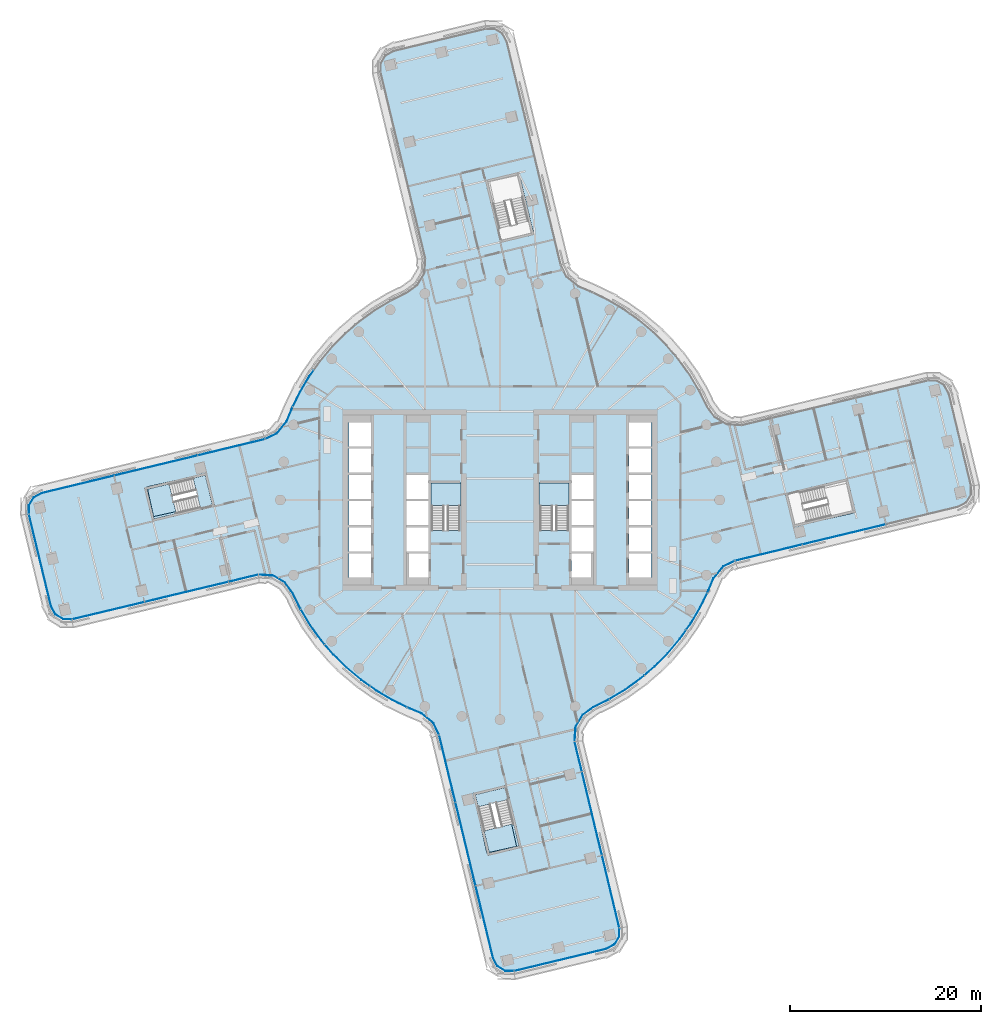
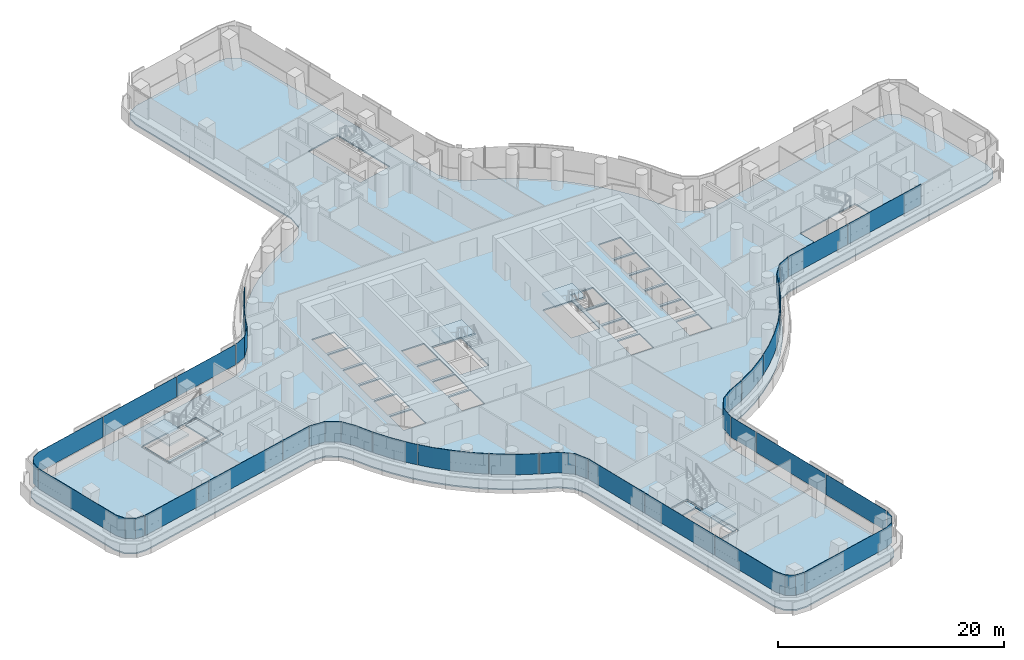
# One storey, part 17 of 33: 28 plates, 7 slabs, 14 elements without a shape of their own.
"""IFC4 building model written with IfcOpenShell, lengths in metres."""

from ifc_helpers import new_model, si_unit, direction, frame, origin, place, context, subcontext, project, spatial, polyline, outline, extrude, material, layer, layer_set, type_object, element, aggregate, save


model = new_model("IFC4")

# Units and contexts
model_context = context("Model", 3, precision=1e-05, world=origin(), true_north=direction((0.0, 1.0)))
body_context = subcontext(model_context, "Body", "Model", "MODEL_VIEW")
ifc_project = project(units=[si_unit("LENGTHUNIT", "METRE"), si_unit("AREAUNIT", "SQUARE_METRE"), si_unit("VOLUMEUNIT", "CUBIC_METRE"), si_unit("PLANEANGLEUNIT", "RADIAN"), si_unit("MASSUNIT", "GRAM", prefix="KILO")], contexts=[model_context])

# Site, building, storey
site_placement = place(None, origin())
site = spatial("IfcSite", under=ifc_project, at=site_placement, CompositionType="ELEMENT")
building_placement = place(site_placement, origin())
building = spatial("IfcBuilding", under=site, at=building_placement, Name="Tamarind Cross Interchange Tower", CompositionType="ELEMENT")
storey_placement = place(building_placement, frame((0.0, 0.0, 83.5)))
storey = spatial("IfcBuildingStorey", under=building, at=storey_placement, Name="L19", CompositionType="ELEMENT", Elevation=83.5)

# Slabs
ifc_material_1 = material(Name="Concrete C35", Category="concrete")
ifc_layer_1 = layer(ifc_material_1, 0.139892578125)
ifc_layer_set_1 = layer_set([ifc_layer_1], Name="Concrete C35")
slab_type_1 = type_object("IfcSlabType", Name="Composite slab 140 Concrete C35", PredefinedType="FLOOR", material=ifc_layer_set_1)
slab_1_placement = place(storey_placement, frame((0.0, 0.0, -0.139892578125)))
element("IfcSlab", 1, at=slab_1_placement, inside=storey, type_object=slab_type_1, Name="Floor slab L19", PredefinedType="FLOOR", context=body_context, shape_type="SweptSolid", body=[
    extrude(outline(polyline([(7.131103515625, 23.494140625), (6.557373046875, 24.66552734375), (0.90673828125, 48.053955078125), (0.411376953125, 48.963134765625), (-0.47216796875, 49.502685546875), (-1.507080078125, 49.5283203125), (-11.227294921875, 47.179931640625), (-12.136474609375, 46.684814453125), (-12.676025390625, 45.80126953125), (-12.70166015625, 44.76611328125), (-8.019287109375, 25.271728515625), (-8.1171875, 23.796875), (-8.813720703125, 22.62744140625), (-9.877197265625, 21.86279296875), (-11.511474609375, 21.054443359375), (-13.2109375, 20.031982421875), (-14.820068359375, 18.87255859375), (-16.327880859375, 17.584228515625), (-17.72412109375, 16.17578125), (-18.99951171875, 14.656982421875), (-20.14501953125, 13.0380859375), (-21.15283203125, 11.329833984375), (-22.01611328125, 9.54443359375), (-22.527587890625, 8.312744140625), (-23.494140625, 7.131103515625), (-24.66552734375, 6.557373046875), (-48.053955078125, 0.90673828125), (-48.963134765625, 0.411376953125), (-49.502685546875, -0.47216796875), (-49.5283203125, -1.507080078125), (-47.179931640625, -11.227294921875), (-46.684814453125, -12.136474609375), (-45.80126953125, -12.676025390625), (-44.76611328125, -12.70166015625), (-25.271728515625, -8.019287109375), (-23.796875, -8.1171875), (-22.62744140625, -8.813720703125), (-21.86279296875, -9.877197265625), (-21.054443359375, -11.511474609375), (-20.031982421875, -13.2109375), (-18.87255859375, -14.820068359375), (-17.584228515625, -16.327880859375), (-16.17578125, -17.72412109375), (-14.656982421875, -18.99951171875), (-13.0380859375, -20.14501953125), (-11.329833984375, -21.15283203125), (-9.54443359375, -22.01611328125), (-8.312744140625, -22.527587890625), (-7.131103515625, -23.494140625), (-6.557373046875, -24.66552734375), (-0.90673828125, -48.053955078125), (-0.411376953125, -48.963134765625), (0.47216796875, -49.502685546875), (1.507080078125, -49.5283203125), (11.227294921875, -47.179931640625), (12.136474609375, -46.684814453125), (12.676025390625, -45.80126953125), (12.70166015625, -44.76611328125), (8.019287109375, -25.271728515625), (8.1171875, -23.796875), (8.813720703125, -22.62744140625), (9.877197265625, -21.86279296875), (11.511474609375, -21.054443359375), (13.2109375, -20.031982421875), (14.820068359375, -18.87255859375), (16.327880859375, -17.584228515625), (17.72412109375, -16.17578125), (18.99951171875, -14.656982421875), (20.14501953125, -13.0380859375), (21.15283203125, -11.329833984375), (22.01611328125, -9.54443359375), (22.527587890625, -8.312744140625), (23.494140625, -7.131103515625), (24.66552734375, -6.557373046875), (48.053955078125, -0.90673828125), (48.963134765625, -0.411376953125), (49.502685546875, 0.47216796875), (49.5283203125, 1.507080078125), (47.179931640625, 11.227294921875), (46.684814453125, 12.136474609375), (45.80126953125, 12.676025390625), (44.76611328125, 12.70166015625), (25.271728515625, 8.019287109375), (23.796875, 8.1171875), (22.62744140625, 8.813720703125), (21.86279296875, 9.877197265625), (21.054443359375, 11.511474609375), (20.031982421875, 13.2109375), (18.87255859375, 14.820068359375), (17.584228515625, 16.327880859375), (16.17578125, 17.72412109375), (14.656982421875, 18.99951171875), (13.0380859375, 20.14501953125), (11.329833984375, 21.15283203125), (9.54443359375, 22.01611328125), (8.312744140625, 22.527587890625), (7.131103515625, 23.494140625)]), holes=[polyline([(-13.5, -8.125), (-15.800048828125, -8.125), (-15.800048828125, -5.625), (-13.5, -5.625), (-13.5, -8.125)]), polyline([(-13.5, -5.375), (-15.800048828125, -5.375), (-15.800048828125, -2.875), (-13.5, -2.875), (-13.5, -5.375)]), polyline([(-7.5, -5.375), (-9.800048828125, -5.375), (-9.800048828125, -2.875), (-7.5, -2.875), (-7.5, -5.375)]), polyline([(-15.800048828125, -2.625), (-15.800048828125, -0.125), (-13.5, -0.125), (-13.5, -2.625), (-15.800048828125, -2.625)]), polyline([(-9.800048828125, -2.625), (-9.800048828125, -0.125), (-7.5, -0.125), (-7.5, -2.625), (-9.800048828125, -2.625)]), polyline([(-36.376220703125, -2.23876953125), (-36.42333984375, -2.04443359375), (-37.1748046875, 1.066162109375), (-37.2216796875, 1.260498046875), (-36.944580078125, 1.327392578125), (-36.95751953125, 1.385986328125), (-33.746337890625, 2.10009765625), (-30.708984375, 2.833984375), (-30.662109375, 2.6396484375), (-29.91064453125, -0.470947265625), (-29.86376953125, -0.665283203125), (-36.376220703125, -2.23876953125)]), polyline([(-15.800048828125, 0.125), (-15.800048828125, 2.625), (-13.5, 2.625), (-13.5, 0.125), (-15.800048828125, 0.125)]), polyline([(-7.5, 0.125), (-9.800048828125, 0.125), (-9.800048828125, 2.625), (-7.5, 2.625), (-7.5, 0.125)]), polyline([(-13.5, 2.875), (-15.800048828125, 2.875), (-15.800048828125, 5.375), (-13.5, 5.375), (-13.5, 2.875)]), polyline([(-15.800048828125, 5.625), (-15.800048828125, 8.125), (-13.5, 8.125), (-13.5, 5.625), (-15.800048828125, 5.625)]), polyline([(-2.833984375, -30.708984375), (-2.6396484375, -30.662109375), (0.470947265625, -29.91064453125), (0.665283203125, -29.86376953125), (2.23876953125, -36.376220703125), (2.04443359375, -36.42333984375), (-1.066162109375, -37.1748046875), (-1.260498046875, -37.2216796875), (-1.327392578125, -36.944580078125), (-1.385986328125, -36.95751953125), (-2.10009765625, -33.746337890625), (-2.833984375, -30.708984375)]), polyline([(-9.800048828125, -8.125), (-9.800048828125, -5.625), (-7.5, -5.625), (-7.5, -8.125), (-9.800048828125, -8.125)]), polyline([(-4.199951171875, -3.18798828125), (-7.14990234375, -3.18798828125), (-7.14990234375, 1.800048828125), (-4.199951171875, 1.800048828125), (-4.199951171875, -3.18798828125)]), polyline([(7.14990234375, 1.800048828125), (7.14990234375, -3.18798828125), (4.199951171875, -3.18798828125), (4.199951171875, 1.800048828125), (7.14990234375, 1.800048828125)]), polyline([(7.5, 2.625), (9.800048828125, 2.625), (9.800048828125, 0.125), (7.5, 0.125), (7.5, 2.625)]), polyline([(-1.5341796875, 33.460205078125), (-1.33984375, 33.507080078125), (1.770751953125, 34.2587890625), (1.965087890625, 34.3056640625), (2.031982421875, 34.028076171875), (2.037353515625, 34.029052734375), (2.10009765625, 33.746337890625), (3.53857421875, 27.79296875), (3.343994140625, 27.74609375), (0.233642578125, 26.994384765625), (0.039306640625, 26.947509765625), (-1.5341796875, 33.460205078125)]), polyline([(7.5, -5.625), (9.800048828125, -5.625), (9.800048828125, -8.125), (7.5, -8.125), (7.5, -5.625)]), polyline([(15.800048828125, -5.625), (15.800048828125, -8.125), (13.5, -8.125), (13.5, -5.625), (15.800048828125, -5.625)]), polyline([(9.800048828125, -2.875), (9.800048828125, -5.375), (7.5, -5.375), (7.5, -2.875), (9.800048828125, -2.875)]), polyline([(13.5, -2.875), (15.800048828125, -2.875), (15.800048828125, -5.375), (13.5, -5.375), (13.5, -2.875)]), polyline([(33.746337890625, -2.10009765625), (30.708984375, -2.833984375), (30.662109375, -2.6396484375), (29.91064453125, 0.470947265625), (29.86376953125, 0.665283203125), (36.376220703125, 2.23876953125), (36.42333984375, 2.04443359375), (37.1748046875, -1.066162109375), (37.2216796875, -1.260498046875), (36.944580078125, -1.327392578125), (36.95751953125, -1.385986328125), (33.746337890625, -2.10009765625)]), polyline([(7.5, -0.125), (9.800048828125, -0.125), (9.800048828125, -2.625), (7.5, -2.625), (7.5, -0.125)]), polyline([(15.800048828125, -0.125), (15.800048828125, -2.625), (13.5, -2.625), (13.5, -0.125), (15.800048828125, -0.125)]), polyline([(13.5, 2.625), (15.800048828125, 2.625), (15.800048828125, 0.125), (13.5, 0.125), (13.5, 2.625)]), polyline([(15.800048828125, 5.375), (15.800048828125, 2.875), (13.5, 2.875), (13.5, 5.375), (15.800048828125, 5.375)]), polyline([(15.800048828125, 8.125), (15.800048828125, 5.625), (13.5, 5.625), (13.5, 8.125), (15.800048828125, 8.125)])]), origin(), (0.0, 0.0, 1.0), 0.139892578125),
])
slab_2_placement = place(storey_placement, frame((0.0, 0.0, -0.139892578125)))
element("IfcSlab", 2, at=slab_2_placement, inside=storey, type_object=slab_type_1, Name="Floor slab L19", PredefinedType="FLOOR", context=body_context, shape_type="SweptSolid", body=[
    extrude(outline(polyline([(-36.98046875, 1.113037109375), (-36.22900390625, -1.997314453125), (-30.10498046875, -0.517822265625), (-30.8564453125, 2.592529296875), (-32.1318359375, 2.284423828125), (-31.42041015625, -0.66064453125), (-36.262939453125, -1.737548828125), (-36.901123046875, 1.132080078125), (-36.98046875, 1.113037109375)])), origin(), (0.0, 0.0, 1.0), 0.139892578125),
])
slab_3_placement = place(storey_placement, frame((0.0, 0.0, -0.139892578125)))
element("IfcSlab", 3, at=slab_3_placement, inside=storey, type_object=slab_type_1, Name="Floor slab L19", PredefinedType="FLOOR", context=body_context, shape_type="SweptSolid", body=[
    extrude(outline(polyline([(-1.113037109375, -36.98046875), (1.997314453125, -36.22900390625), (0.517822265625, -30.10498046875), (-2.592529296875, -30.8564453125), (-2.284423828125, -32.1318359375), (0.66064453125, -31.42041015625), (1.737548828125, -36.262939453125), (-1.132080078125, -36.901123046875), (-1.113037109375, -36.98046875)])), origin(), (0.0, 0.0, 1.0), 0.139892578125),
])

# Stair, slab
ifc_material_2 = material(Name="Exit stair")
stair_type = type_object("IfcStairType", Name="Exit stair", PredefinedType="HALF_TURN_STAIR", material=ifc_material_2)
stair_1_placement = place(storey_placement, origin())
stair_1 = element("IfcStair", 4, at=stair_1_placement, inside=storey, type_object=stair_type, Name="L19 exit stair ST1", PredefinedType="HALF_TURN_STAIR")
ifc_material_3 = material(Name="Concrete C40", Category="concrete")
ifc_layer_2 = layer(ifc_material_3, 0.199951171875)
ifc_layer_set_2 = layer_set([ifc_layer_2], Name="Concrete C40")
slab_type_2 = type_object("IfcSlabType", Name="Stair landing", PredefinedType="LANDING", material=ifc_layer_set_2)
slab_4_placement = place(storey_placement, frame((0.0, 0.0, 1.675048828125)))
slab_4 = element("IfcSlab", 5, at=slab_4_placement, type_object=slab_type_2, Name="ST1 landing 1", PredefinedType="LANDING", context=body_context, shape_type="SweptSolid", body=[
    extrude(outline(polyline([(-4.10009765625, -0.60009765625), (-4.10009765625, 1.800048828125), (-7.199951171875, 1.800048828125), (-7.199951171875, -0.60009765625), (-4.10009765625, -0.60009765625)])), origin(), (0.0, 0.0, 1.0), 0.199951171875),
])
aggregate(stair_1, [slab_4])

stair_2_placement = place(storey_placement, origin())
stair_2 = element("IfcStair", 6, at=stair_2_placement, inside=storey, type_object=stair_type, Name="L19 exit stair ST2", PredefinedType="HALF_TURN_STAIR")
slab_5_placement = place(storey_placement, frame((0.0, 0.0, 1.675048828125)))
slab_5 = element("IfcSlab", 7, at=slab_5_placement, type_object=slab_type_2, Name="ST2 landing 1", PredefinedType="LANDING", context=body_context, shape_type="SweptSolid", body=[
    extrude(outline(polyline([(7.199951171875, -0.60009765625), (7.199951171875, 1.800048828125), (4.10009765625, 1.800048828125), (4.10009765625, -0.60009765625), (7.199951171875, -0.60009765625)])), origin(), (0.0, 0.0, 1.0), 0.199951171875),
])
aggregate(stair_2, [slab_5])

stair_3_placement = place(storey_placement, origin())
stair_3 = element("IfcStair", 8, at=stair_3_placement, inside=storey, type_object=stair_type, Name="L19 exit stair ST5", PredefinedType="HALF_TURN_STAIR")
slab_6_placement = place(storey_placement, frame((0.0, 0.0, 1.675048828125)))
slab_6 = element("IfcSlab", 9, at=slab_6_placement, type_object=slab_type_2, Name="ST5 landing 1", PredefinedType="LANDING", context=body_context, shape_type="SweptSolid", body=[
    extrude(outline(polyline([(-34.6357421875, 1.679443359375), (-36.98046875, 1.113037109375), (-36.228759765625, -1.997314453125), (-33.88427734375, -1.430908203125), (-34.6357421875, 1.679443359375)])), origin(), (0.0, 0.0, 1.0), 0.199951171875),
])
aggregate(stair_3, [slab_6])

stair_4_placement = place(storey_placement, origin())
stair_4 = element("IfcStair", 10, at=stair_4_placement, inside=storey, type_object=stair_type, Name="L19 exit stair ST6", PredefinedType="HALF_TURN_STAIR")
slab_7_placement = place(storey_placement, frame((0.0, 0.0, 1.675048828125)))
slab_7 = element("IfcSlab", 11, at=slab_7_placement, type_object=slab_type_2, Name="ST6 landing 1", PredefinedType="LANDING", context=body_context, shape_type="SweptSolid", body=[
    extrude(outline(polyline([(-1.679443359375, -34.6357421875), (-1.113037109375, -36.98046875), (1.997314453125, -36.228759765625), (1.430908203125, -33.88427734375), (-1.679443359375, -34.6357421875)])), origin(), (0.0, 0.0, 1.0), 0.199951171875),
])
aggregate(stair_4, [slab_7])

# Curtain wall, plates
ifc_material_4 = material(Name="Aluminium 6063-T6", Category="aluminium")
ifc_layer_3 = layer(ifc_material_4, 0.159912109375)
ifc_layer_set_3 = layer_set([ifc_layer_3], Name="Aluminium 6063-T6")
curtain_wall_type_1 = type_object("IfcCurtainWallType", Name="Office curtain wall, 9.0 m bays", PredefinedType="NOTDEFINED", material=ifc_layer_set_3)
curtain_wall_1_placement = place(storey_placement, origin())
curtain_wall_1 = element("IfcCurtainWall", 12, at=curtain_wall_1_placement, inside=storey, type_object=curtain_wall_type_1, Name="CWS-L19-03", PredefinedType="NOTDEFINED")
ifc_material_5 = material(Name="Laminated low-e glass 8+1.52+8", Category="glass")
ifc_layer_4 = layer(ifc_material_5, 0.028076171875)
ifc_layer_set_4 = layer_set([ifc_layer_4], Name="Laminated low-e glass 8+1.52+8")
plate_type_1 = type_object("IfcPlateType", Name="Vision panel CW1", PredefinedType="CURTAIN_PANEL", material=ifc_layer_set_4)
plate_1_placement = place(storey_placement, frame((0.0, 0.0, 1.39990234375)))
plate_1 = element("IfcPlate", 13, at=plate_1_placement, type_object=plate_type_1, Name="CWP-L19-03-00", PredefinedType="CURTAIN_PANEL", context=body_context, shape_type="SweptSolid", body=[
    extrude(outline(polyline([(-24.623046875, 6.347412109375), (-31.60986328125, 4.659423828125), (-31.616455078125, 4.686767578125), (-24.629638671875, 6.374755859375), (-24.623046875, 6.347412109375)])), origin(), (0.0, 0.0, 1.0), 2.210205078125),
])
plate_2_placement = place(storey_placement, frame((0.0, 0.0, 1.39990234375)))
plate_2 = element("IfcPlate", 14, at=plate_2_placement, type_object=plate_type_1, Name="CWP-L19-03-01", PredefinedType="CURTAIN_PANEL", context=body_context, shape_type="SweptSolid", body=[
    extrude(outline(polyline([(-31.66796875, 4.6455078125), (-40.3564453125, 2.54638671875), (-40.363037109375, 2.573486328125), (-31.674560546875, 4.672607421875), (-31.66796875, 4.6455078125)])), origin(), (0.0, 0.0, 1.0), 2.210205078125),
])
plate_3_placement = place(storey_placement, frame((0.0, 0.0, 1.39990234375)))
plate_3 = element("IfcPlate", 15, at=plate_3_placement, type_object=plate_type_1, Name="CWP-L19-03-02", PredefinedType="CURTAIN_PANEL", context=body_context, shape_type="SweptSolid", body=[
    extrude(outline(polyline([(-40.414794921875, 2.5322265625), (-47.976318359375, 0.705322265625), (-48.810302734375, 0.2509765625), (-49.290283203125, -0.53466796875), (-49.31298828125, -1.4560546875), (-49.341064453125, -1.455322265625), (-49.318115234375, -0.5263671875), (-48.830322265625, 0.27197265625), (-47.986572265625, 0.731689453125), (-40.42138671875, 2.559326171875), (-40.414794921875, 2.5322265625)])), origin(), (0.0, 0.0, 1.0), 2.210205078125),
])
aggregate(curtain_wall_1, [plate_1, plate_2, plate_3])

# Curtain wall, plate
curtain_wall_2_placement = place(storey_placement, origin())
curtain_wall_2 = element("IfcCurtainWall", 16, at=curtain_wall_2_placement, inside=storey, type_object=curtain_wall_type_1, Name="CWS-L19-04", PredefinedType="NOTDEFINED")
plate_4_placement = place(storey_placement, frame((0.0, 0.0, 1.39990234375)))
plate_4 = element("IfcPlate", 17, at=plate_4_placement, type_object=plate_type_1, Name="CWP-L19-04-00", PredefinedType="CURTAIN_PANEL", context=body_context, shape_type="SweptSolid", body=[
    extrude(outline(polyline([(-49.30712890625, -1.511474609375), (-46.978515625, -11.149658203125), (-46.524169921875, -11.983642578125), (-45.738525390625, -12.463623046875), (-44.817138671875, -12.486328125), (-44.81787109375, -12.514404296875), (-45.746826171875, -12.491455078125), (-46.545166015625, -12.003662109375), (-47.0048828125, -11.159912109375), (-49.33447265625, -1.51806640625), (-49.30712890625, -1.511474609375)])), origin(), (0.0, 0.0, 1.0), 2.210205078125),
])
aggregate(curtain_wall_2, [plate_4])

# Curtain wall, plates
curtain_wall_3_placement = place(storey_placement, origin())
curtain_wall_3 = element("IfcCurtainWall", 18, at=curtain_wall_3_placement, inside=storey, type_object=curtain_wall_type_1, Name="CWS-L19-05", PredefinedType="NOTDEFINED")
plate_5_placement = place(storey_placement, frame((0.0, 0.0, 1.39990234375)))
plate_5 = element("IfcPlate", 19, at=plate_5_placement, type_object=plate_type_1, Name="CWP-L19-05-00", PredefinedType="CURTAIN_PANEL", context=body_context, shape_type="SweptSolid", body=[
    extrude(outline(polyline([(-44.761474609375, -12.48046875), (-37.221923828125, -10.669677734375), (-37.21533203125, -10.69677734375), (-44.755126953125, -12.5078125), (-44.761474609375, -12.48046875)])), origin(), (0.0, 0.0, 1.0), 2.210205078125),
])
plate_6_placement = place(storey_placement, frame((0.0, 0.0, 1.39990234375)))
plate_6 = element("IfcPlate", 20, at=plate_6_placement, type_object=plate_type_1, Name="CWP-L19-05-01", PredefinedType="CURTAIN_PANEL", context=body_context, shape_type="SweptSolid", body=[
    extrude(outline(polyline([(-37.16357421875, -10.655517578125), (-28.468994140625, -8.5673828125), (-28.46240234375, -8.594482421875), (-37.156982421875, -10.682861328125), (-37.16357421875, -10.655517578125)])), origin(), (0.0, 0.0, 1.0), 2.210205078125),
])
plate_7_placement = place(storey_placement, frame((0.0, 0.0, 1.39990234375)))
plate_7 = element("IfcPlate", 21, at=plate_7_placement, type_object=plate_type_1, Name="CWP-L19-05-02", PredefinedType="CURTAIN_PANEL", context=body_context, shape_type="SweptSolid", body=[
    extrude(outline(polyline([(-28.41064453125, -8.55322265625), (-25.3212890625, -7.811279296875), (-25.314697265625, -7.83837890625), (-28.404052734375, -8.58056640625), (-28.41064453125, -8.55322265625)])), origin(), (0.0, 0.0, 1.0), 2.210205078125),
])
aggregate(curtain_wall_3, [plate_5, plate_6, plate_7])

curtain_wall_4_placement = place(storey_placement, origin())
curtain_wall_4 = element("IfcCurtainWall", 22, at=curtain_wall_4_placement, inside=storey, type_object=curtain_wall_type_1, Name="CWS-L19-07", PredefinedType="NOTDEFINED")
plate_8_placement = place(storey_placement, frame((0.0, 0.0, 1.39990234375)))
plate_8 = element("IfcPlate", 23, at=plate_8_placement, type_object=plate_type_1, Name="CWP-L19-07-00", PredefinedType="CURTAIN_PANEL", context=body_context, shape_type="SweptSolid", body=[
    extrude(outline(polyline([(-6.347412109375, -24.623046875), (-4.659423828125, -31.60986328125), (-4.686767578125, -31.616455078125), (-6.374755859375, -24.629638671875), (-6.347412109375, -24.623046875)])), origin(), (0.0, 0.0, 1.0), 2.210205078125),
])
plate_9_placement = place(storey_placement, frame((0.0, 0.0, 1.39990234375)))
plate_9 = element("IfcPlate", 24, at=plate_9_placement, type_object=plate_type_1, Name="CWP-L19-07-01", PredefinedType="CURTAIN_PANEL", context=body_context, shape_type="SweptSolid", body=[
    extrude(outline(polyline([(-4.6455078125, -31.66796875), (-2.54638671875, -40.3564453125), (-2.573486328125, -40.363037109375), (-4.672607421875, -31.674560546875), (-4.6455078125, -31.66796875)])), origin(), (0.0, 0.0, 1.0), 2.210205078125),
])
plate_10_placement = place(storey_placement, frame((0.0, 0.0, 1.39990234375)))
plate_10 = element("IfcPlate", 25, at=plate_10_placement, type_object=plate_type_1, Name="CWP-L19-07-02", PredefinedType="CURTAIN_PANEL", context=body_context, shape_type="SweptSolid", body=[
    extrude(outline(polyline([(-2.5322265625, -40.414794921875), (-0.705322265625, -47.976318359375), (-0.2509765625, -48.810302734375), (0.53466796875, -49.290283203125), (1.4560546875, -49.31298828125), (1.455322265625, -49.341064453125), (0.5263671875, -49.318115234375), (-0.27197265625, -48.830322265625), (-0.731689453125, -47.986572265625), (-2.559326171875, -40.42138671875), (-2.5322265625, -40.414794921875)])), origin(), (0.0, 0.0, 1.0), 2.210205078125),
])
aggregate(curtain_wall_4, [plate_8, plate_9, plate_10])

# Curtain wall, plate
curtain_wall_5_placement = place(storey_placement, origin())
curtain_wall_5 = element("IfcCurtainWall", 26, at=curtain_wall_5_placement, inside=storey, type_object=curtain_wall_type_1, Name="CWS-L19-08", PredefinedType="NOTDEFINED")
plate_11_placement = place(storey_placement, frame((0.0, 0.0, 1.39990234375)))
plate_11 = element("IfcPlate", 27, at=plate_11_placement, type_object=plate_type_1, Name="CWP-L19-08-00", PredefinedType="CURTAIN_PANEL", context=body_context, shape_type="SweptSolid", body=[
    extrude(outline(polyline([(1.511474609375, -49.30712890625), (11.149658203125, -46.978515625), (11.983642578125, -46.524169921875), (12.463623046875, -45.738525390625), (12.486328125, -44.817138671875), (12.514404296875, -44.81787109375), (12.491455078125, -45.746826171875), (12.003662109375, -46.545166015625), (11.159912109375, -47.0048828125), (1.51806640625, -49.33447265625), (1.511474609375, -49.30712890625)])), origin(), (0.0, 0.0, 1.0), 2.210205078125),
])
aggregate(curtain_wall_5, [plate_11])

# Curtain wall, plates
curtain_wall_6_placement = place(storey_placement, origin())
curtain_wall_6 = element("IfcCurtainWall", 28, at=curtain_wall_6_placement, inside=storey, type_object=curtain_wall_type_1, Name="CWS-L19-09", PredefinedType="NOTDEFINED")
plate_12_placement = place(storey_placement, frame((0.0, 0.0, 1.39990234375)))
plate_12 = element("IfcPlate", 29, at=plate_12_placement, type_object=plate_type_1, Name="CWP-L19-09-00", PredefinedType="CURTAIN_PANEL", context=body_context, shape_type="SweptSolid", body=[
    extrude(outline(polyline([(12.48046875, -44.761474609375), (10.669677734375, -37.221923828125), (10.69677734375, -37.21533203125), (12.5078125, -44.755126953125), (12.48046875, -44.761474609375)])), origin(), (0.0, 0.0, 1.0), 2.210205078125),
])
plate_13_placement = place(storey_placement, frame((0.0, 0.0, 1.39990234375)))
plate_13 = element("IfcPlate", 30, at=plate_13_placement, type_object=plate_type_1, Name="CWP-L19-09-01", PredefinedType="CURTAIN_PANEL", context=body_context, shape_type="SweptSolid", body=[
    extrude(outline(polyline([(10.655517578125, -37.16357421875), (8.5673828125, -28.468994140625), (8.594482421875, -28.46240234375), (10.682861328125, -37.156982421875), (10.655517578125, -37.16357421875)])), origin(), (0.0, 0.0, 1.0), 2.210205078125),
])
plate_14_placement = place(storey_placement, frame((0.0, 0.0, 1.39990234375)))
plate_14 = element("IfcPlate", 31, at=plate_14_placement, type_object=plate_type_1, Name="CWP-L19-09-02", PredefinedType="CURTAIN_PANEL", context=body_context, shape_type="SweptSolid", body=[
    extrude(outline(polyline([(8.55322265625, -28.41064453125), (7.811279296875, -25.3212890625), (7.83837890625, -25.314697265625), (8.58056640625, -28.404052734375), (8.55322265625, -28.41064453125)])), origin(), (0.0, 0.0, 1.0), 2.210205078125),
])
aggregate(curtain_wall_6, [plate_12, plate_13, plate_14])

curtain_wall_7_placement = place(storey_placement, origin())
curtain_wall_7 = element("IfcCurtainWall", 32, at=curtain_wall_7_placement, inside=storey, type_object=curtain_wall_type_1, Name="CWS-L19-11", PredefinedType="NOTDEFINED")
plate_15_placement = place(storey_placement, frame((0.0, 0.0, 1.39990234375)))
plate_15 = element("IfcPlate", 33, at=plate_15_placement, type_object=plate_type_1, Name="CWP-L19-11-00", PredefinedType="CURTAIN_PANEL", context=body_context, shape_type="SweptSolid", body=[
    extrude(outline(polyline([(24.623046875, -6.347412109375), (31.60986328125, -4.659423828125), (31.616455078125, -4.686767578125), (24.629638671875, -6.374755859375), (24.623046875, -6.347412109375)])), origin(), (0.0, 0.0, 1.0), 2.210205078125),
])
plate_16_placement = place(storey_placement, frame((0.0, 0.0, 1.39990234375)))
plate_16 = element("IfcPlate", 34, at=plate_16_placement, type_object=plate_type_1, Name="CWP-L19-11-01", PredefinedType="CURTAIN_PANEL", context=body_context, shape_type="SweptSolid", body=[
    extrude(outline(polyline([(31.66796875, -4.6455078125), (40.3564453125, -2.54638671875), (40.363037109375, -2.573486328125), (31.674560546875, -4.672607421875), (31.66796875, -4.6455078125)])), origin(), (0.0, 0.0, 1.0), 2.210205078125),
])
aggregate(curtain_wall_7, [plate_15, plate_16])

ifc_layer_5 = layer(ifc_material_4, 0.14990234375)
ifc_layer_set_5 = layer_set([ifc_layer_5], Name="Aluminium 6063-T6")
curtain_wall_type_2 = type_object("IfcCurtainWallType", Name="Winter garden and crown curtain wall", PredefinedType="NOTDEFINED", material=ifc_layer_set_5)
curtain_wall_8_placement = place(storey_placement, origin())
curtain_wall_8 = element("IfcCurtainWall", 35, at=curtain_wall_8_placement, inside=storey, type_object=curtain_wall_type_2, Name="CWS-L19-02", PredefinedType="NOTDEFINED")
ifc_layer_6 = layer(ifc_material_5, 0.030029296875)
ifc_layer_set_6 = layer_set([ifc_layer_6], Name="Laminated low-e glass 8+1.52+8")
plate_type_2 = type_object("IfcPlateType", Name="Vision panel CW6", PredefinedType="CURTAIN_PANEL", material=ifc_layer_set_6)
plate_17_placement = place(storey_placement, frame((0.0, 0.0, 1.39990234375)))
plate_17 = element("IfcPlate", 36, at=plate_17_placement, type_object=plate_type_2, Name="CWP-L19-02-03", PredefinedType="CURTAIN_PANEL", context=body_context, shape_type="SweptSolid", body=[
    extrude(outline(polyline([(-19.497314453125, 13.580810546875), (-19.96435546875, 12.921142578125), (-20.963134765625, 11.228271484375), (-21.674072265625, 9.758056640625), (-21.700927734375, 9.771240234375), (-20.989501953125, 11.242431640625), (-19.989501953125, 12.937255859375), (-19.52197265625, 13.59814453125), (-19.497314453125, 13.580810546875)])), origin(), (0.0, 0.0, 1.0), 2.210205078125),
])
plate_18_placement = place(storey_placement, frame((0.0, 0.0, 1.39990234375)))
plate_18 = element("IfcPlate", 37, at=plate_18_placement, type_object=plate_type_2, Name="CWP-L19-02-04", PredefinedType="CURTAIN_PANEL", context=body_context, shape_type="SweptSolid", body=[
    extrude(outline(polyline([(-21.7001953125, 9.7041015625), (-21.81982421875, 9.456298828125), (-22.341064453125, 8.201171875), (-23.357421875, 6.958740234375), (-24.563720703125, 6.367919921875), (-24.576904296875, 6.394775390625), (-23.37646484375, 6.98291015625), (-22.366943359375, 8.216796875), (-21.84716796875, 9.468505859375), (-21.72705078125, 9.717041015625), (-21.7001953125, 9.7041015625)])), origin(), (0.0, 0.0, 1.0), 2.210205078125),
])
aggregate(curtain_wall_8, [plate_17, plate_18])

curtain_wall_9_placement = place(storey_placement, origin())
curtain_wall_9 = element("IfcCurtainWall", 38, at=curtain_wall_9_placement, inside=storey, type_object=curtain_wall_type_2, Name="CWS-L19-06", PredefinedType="NOTDEFINED")
plate_19_placement = place(storey_placement, frame((0.0, 0.0, 1.39990234375)))
plate_19 = element("IfcPlate", 39, at=plate_19_placement, type_object=plate_type_2, Name="CWP-L19-06-00", PredefinedType="CURTAIN_PANEL", context=body_context, shape_type="SweptSolid", body=[
    extrude(outline(polyline([(-25.2578125, -7.804931640625), (-23.731201171875, -7.906005859375), (-22.47900390625, -8.65185546875), (-21.677978515625, -9.76611328125), (-20.86865234375, -11.402099609375), (-20.8955078125, -11.41552734375), (-21.703857421875, -9.781494140625), (-22.49951171875, -8.674560546875), (-23.740478515625, -7.935546875), (-25.259765625, -7.834716796875), (-25.2578125, -7.804931640625)])), origin(), (0.0, 0.0, 1.0), 2.210205078125),
])
plate_20_placement = place(storey_placement, frame((0.0, 0.0, 1.39990234375)))
plate_20 = element("IfcPlate", 40, at=plate_20_placement, type_object=plate_type_2, Name="CWP-L19-06-01", PredefinedType="CURTAIN_PANEL", context=body_context, shape_type="SweptSolid", body=[
    extrude(outline(polyline([(-20.8388671875, -11.452880859375), (-19.852294921875, -13.09228515625), (-18.703369140625, -14.68701171875), (-18.362060546875, -15.086669921875), (-18.384765625, -15.106201171875), (-18.72705078125, -14.70556640625), (-19.87744140625, -13.10888671875), (-20.864501953125, -11.46826171875), (-20.8388671875, -11.452880859375)])), origin(), (0.0, 0.0, 1.0), 2.210205078125),
])
plate_21_placement = place(storey_placement, frame((0.0, 0.0, 1.39990234375)))
plate_21 = element("IfcPlate", 41, at=plate_21_placement, type_object=plate_type_2, Name="CWP-L19-06-02", PredefinedType="CURTAIN_PANEL", context=body_context, shape_type="SweptSolid", body=[
    extrude(outline(polyline([(-18.322998046875, -15.13232421875), (-17.426513671875, -16.181396484375), (-16.03076171875, -17.565185546875), (-14.525634765625, -18.8291015625), (-13.6298828125, -19.462646484375), (-13.647216796875, -19.4873046875), (-14.5439453125, -18.852783203125), (-16.051025390625, -17.58740234375), (-17.448486328125, -16.201904296875), (-18.345703125, -15.15185546875), (-18.322998046875, -15.13232421875)])), origin(), (0.0, 0.0, 1.0), 2.210205078125),
])
plate_22_placement = place(storey_placement, frame((0.0, 0.0, 1.39990234375)))
plate_22 = element("IfcPlate", 42, at=plate_22_placement, type_object=plate_type_2, Name="CWP-L19-06-03", PredefinedType="CURTAIN_PANEL", context=body_context, shape_type="SweptSolid", body=[
    extrude(outline(polyline([(-13.580810546875, -19.497314453125), (-12.921142578125, -19.96435546875), (-11.228271484375, -20.963134765625), (-9.758056640625, -21.674072265625), (-9.771240234375, -21.700927734375), (-11.242431640625, -20.989501953125), (-12.937255859375, -19.989501953125), (-13.59814453125, -19.52197265625), (-13.580810546875, -19.497314453125)])), origin(), (0.0, 0.0, 1.0), 2.210205078125),
])
plate_23_placement = place(storey_placement, frame((0.0, 0.0, 1.39990234375)))
plate_23 = element("IfcPlate", 43, at=plate_23_placement, type_object=plate_type_2, Name="CWP-L19-06-04", PredefinedType="CURTAIN_PANEL", context=body_context, shape_type="SweptSolid", body=[
    extrude(outline(polyline([(-9.7041015625, -21.7001953125), (-9.456298828125, -21.81982421875), (-8.201171875, -22.341064453125), (-6.958740234375, -23.357421875), (-6.367919921875, -24.563720703125), (-6.394775390625, -24.576904296875), (-6.98291015625, -23.37646484375), (-8.216796875, -22.366943359375), (-9.468505859375, -21.84716796875), (-9.717041015625, -21.72705078125), (-9.7041015625, -21.7001953125)])), origin(), (0.0, 0.0, 1.0), 2.210205078125),
])
aggregate(curtain_wall_9, [plate_19, plate_20, plate_21, plate_22, plate_23])

curtain_wall_10_placement = place(storey_placement, origin())
curtain_wall_10 = element("IfcCurtainWall", 44, at=curtain_wall_10_placement, inside=storey, type_object=curtain_wall_type_2, Name="CWS-L19-10", PredefinedType="NOTDEFINED")
plate_24_placement = place(storey_placement, frame((0.0, 0.0, 1.39990234375)))
plate_24 = element("IfcPlate", 45, at=plate_24_placement, type_object=plate_type_2, Name="CWP-L19-10-00", PredefinedType="CURTAIN_PANEL", context=body_context, shape_type="SweptSolid", body=[
    extrude(outline(polyline([(7.804931640625, -25.2578125), (7.906005859375, -23.731201171875), (8.65185546875, -22.47900390625), (9.76611328125, -21.677978515625), (11.402099609375, -20.86865234375), (11.41552734375, -20.8955078125), (9.781494140625, -21.703857421875), (8.674560546875, -22.49951171875), (7.935546875, -23.740478515625), (7.834716796875, -25.259765625), (7.804931640625, -25.2578125)])), origin(), (0.0, 0.0, 1.0), 2.210205078125),
])
plate_25_placement = place(storey_placement, frame((0.0, 0.0, 1.39990234375)))
plate_25 = element("IfcPlate", 46, at=plate_25_placement, type_object=plate_type_2, Name="CWP-L19-10-01", PredefinedType="CURTAIN_PANEL", context=body_context, shape_type="SweptSolid", body=[
    extrude(outline(polyline([(11.452880859375, -20.8388671875), (13.09228515625, -19.852294921875), (14.68701171875, -18.703369140625), (15.086669921875, -18.362060546875), (15.106201171875, -18.384765625), (14.70556640625, -18.72705078125), (13.10888671875, -19.87744140625), (11.46826171875, -20.864501953125), (11.452880859375, -20.8388671875)])), origin(), (0.0, 0.0, 1.0), 2.210205078125),
])
plate_26_placement = place(storey_placement, frame((0.0, 0.0, 1.39990234375)))
plate_26 = element("IfcPlate", 47, at=plate_26_placement, type_object=plate_type_2, Name="CWP-L19-10-02", PredefinedType="CURTAIN_PANEL", context=body_context, shape_type="SweptSolid", body=[
    extrude(outline(polyline([(15.13232421875, -18.322998046875), (16.181396484375, -17.426513671875), (17.565185546875, -16.03076171875), (18.8291015625, -14.525634765625), (19.462646484375, -13.6298828125), (19.4873046875, -13.647216796875), (18.852783203125, -14.5439453125), (17.58740234375, -16.051025390625), (16.201904296875, -17.448486328125), (15.15185546875, -18.345703125), (15.13232421875, -18.322998046875)])), origin(), (0.0, 0.0, 1.0), 2.210205078125),
])
plate_27_placement = place(storey_placement, frame((0.0, 0.0, 1.39990234375)))
plate_27 = element("IfcPlate", 48, at=plate_27_placement, type_object=plate_type_2, Name="CWP-L19-10-03", PredefinedType="CURTAIN_PANEL", context=body_context, shape_type="SweptSolid", body=[
    extrude(outline(polyline([(19.497314453125, -13.580810546875), (19.96435546875, -12.921142578125), (20.963134765625, -11.228271484375), (21.674072265625, -9.758056640625), (21.700927734375, -9.771240234375), (20.989501953125, -11.242431640625), (19.989501953125, -12.937255859375), (19.52197265625, -13.59814453125), (19.497314453125, -13.580810546875)])), origin(), (0.0, 0.0, 1.0), 2.210205078125),
])
plate_28_placement = place(storey_placement, frame((0.0, 0.0, 1.39990234375)))
plate_28 = element("IfcPlate", 49, at=plate_28_placement, type_object=plate_type_2, Name="CWP-L19-10-04", PredefinedType="CURTAIN_PANEL", context=body_context, shape_type="SweptSolid", body=[
    extrude(outline(polyline([(21.7001953125, -9.7041015625), (21.81982421875, -9.456298828125), (22.341064453125, -8.201171875), (23.357421875, -6.958740234375), (24.563720703125, -6.367919921875), (24.576904296875, -6.394775390625), (23.37646484375, -6.98291015625), (22.366943359375, -8.216796875), (21.84716796875, -9.468505859375), (21.72705078125, -9.717041015625), (21.7001953125, -9.7041015625)])), origin(), (0.0, 0.0, 1.0), 2.210205078125),
])
aggregate(curtain_wall_10, [plate_24, plate_25, plate_26, plate_27, plate_28])

save(model, "model.ifc")
